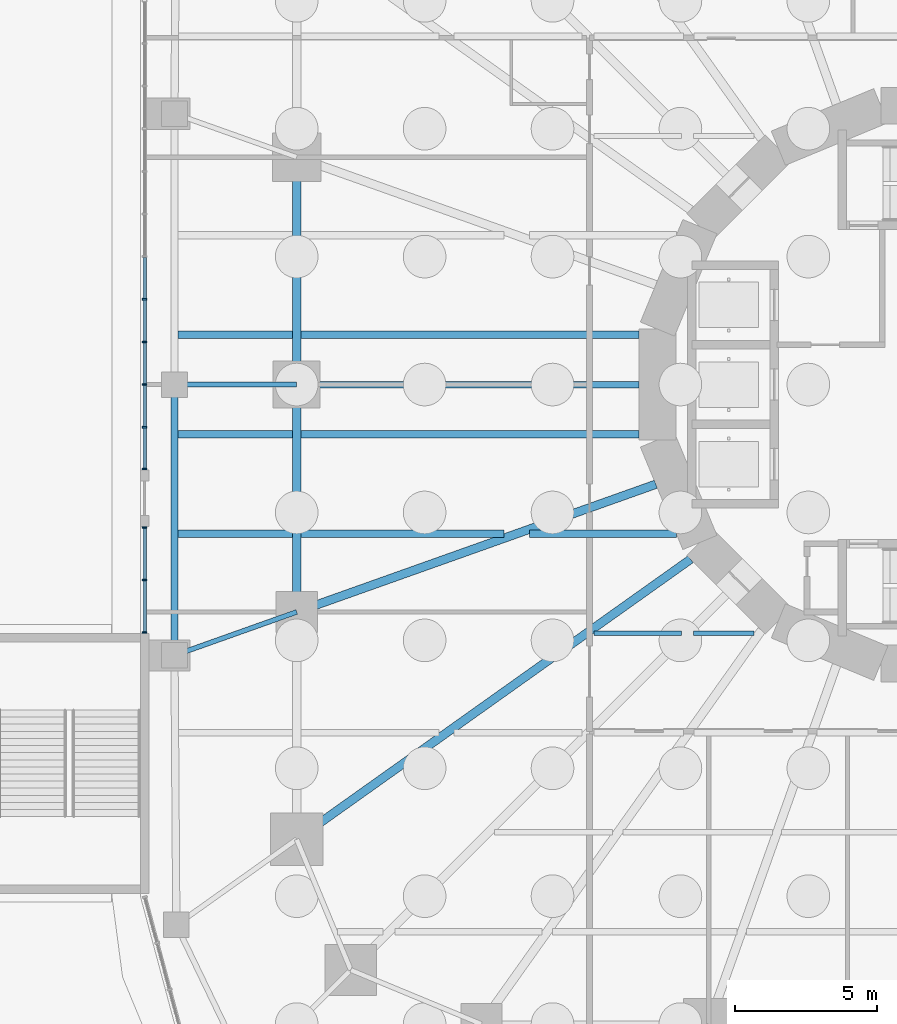
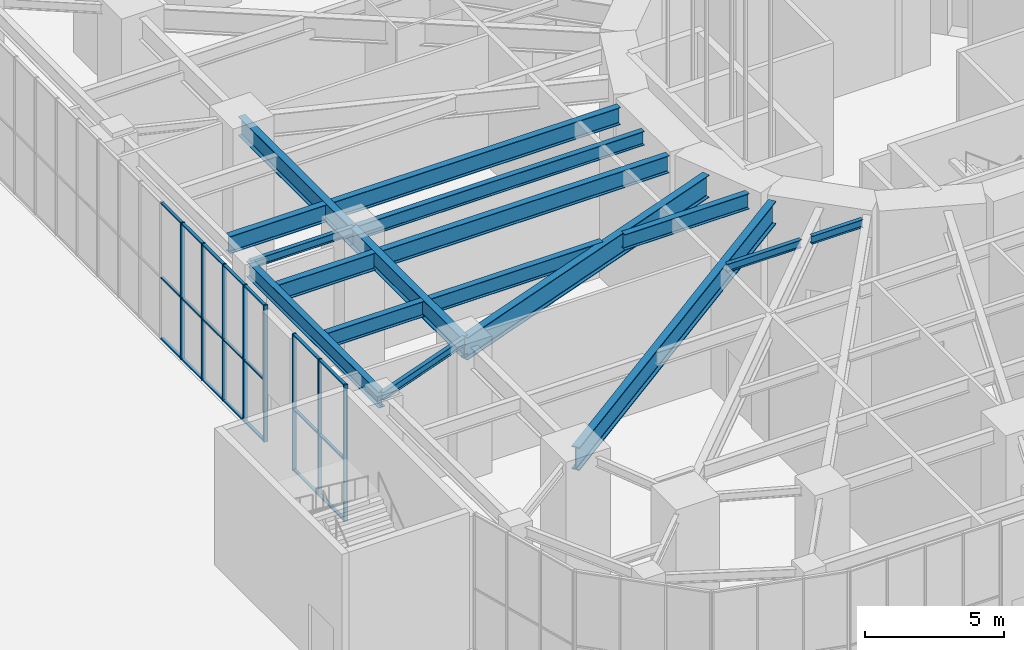
# One storey, part 7 of 43: 29 members, 17 beams, 2 elements without a shape of their own.
"""IFC4 building model written with IfcOpenShell, lengths in metres."""

import ifcopenshell
import ifcopenshell.guid

model = None  # the IFC model being written
_history = None  # IfcOwnerHistory: only IFC2X3 demands one
_inside = {}  # id of a spatial element -> (the spatial element, [elements in it])
_under = {}  # id of a project, library or spatial element -> (it, [spatial elements below it])
_declared = {}  # id of a project -> (the project, [libraries it declares])
_typed = {}  # id of a type object -> (the type object, [elements of that type])
_made_of = {}  # id of a material, layer set ... -> (it, [elements and type objects made of it])


def new_model(schema):
    """Start an empty IFC model of exactly this schema.

    Asked for "IFC4X3", IfcOpenShell would pick the latest addendum, in which some entities
    have other attributes; the version numbers below select the first issue.
    IFC2X3 requires an IfcOwnerHistory on every rooted entity: one is made here for all.
    """
    global model, _history
    if schema == "IFC4X3":
        model = ifcopenshell.file(schema_version=(4, 3, 0, 0))
    else:
        model = ifcopenshell.file(schema=schema)
    _inside.clear()
    _under.clear()
    _declared.clear()
    _typed.clear()
    _made_of.clear()
    _history = None
    if model.schema == "IFC2X3":
        org = make("IfcOrganization", Name="unknown")
        user = make(
            "IfcPersonAndOrganization",
            ThePerson=make("IfcPerson", FamilyName="unknown"),
            TheOrganization=org,
        )
        app = make(
            "IfcApplication",
            ApplicationDeveloper=org,
            Version="unknown",
            ApplicationFullName="unknown",
            ApplicationIdentifier="unknown",
        )
        _history = make(
            "IfcOwnerHistory",
            OwningUser=user,
            OwningApplication=app,
            ChangeAction="ADDED",
            CreationDate=0,
        )
    return model


def make(cls, **values):
    """One entity of the class cls with the attributes given. An attribute that is None is left unset."""
    return model.create_entity(
        cls, **{name: value for name, value in values.items() if value is not None}
    )


def rooted(cls, **values):
    """An entity with a GlobalId (a new one), such as an element, a storey or a relation."""
    return make(cls, GlobalId=ifcopenshell.guid.new(), OwnerHistory=_history, **values)


def si_unit(unit_type, name, prefix=None):
    """IfcSIUnit, for example si_unit("LENGTHUNIT", "METRE", prefix="MILLI")."""
    return make("IfcSIUnit", UnitType=unit_type, Prefix=prefix, Name=name)


def assignment(units):
    """IfcUnitAssignment: the units of a project."""
    return None if units is None else make("IfcUnitAssignment", Units=units)


def point(xyz):
    """IfcCartesianPoint."""
    return None if xyz is None else make("IfcCartesianPoint", Coordinates=xyz)


def direction(xyz):
    """IfcDirection."""
    return None if xyz is None else make("IfcDirection", DirectionRatios=xyz)


def frame(location, z_axis=None, x_axis=None):
    """IfcAxis2Placement3D, a coordinate frame: its origin and axes. An axis left out is left unset."""
    return make(
        "IfcAxis2Placement3D",
        Location=point(location),
        Axis=direction(z_axis),
        RefDirection=direction(x_axis),
    )


def frame_2d(location, x_axis=None):
    """IfcAxis2Placement2D, a coordinate frame in the plane: its origin and x axis."""
    return make(
        "IfcAxis2Placement2D", Location=point(location), RefDirection=direction(x_axis)
    )


def origin():
    """The frame at (0, 0, 0) with its axes left unset."""
    return frame((0.0, 0.0, 0.0))


def origin_2d():
    """The frame at (0, 0) in the plane with its x axis left unset."""
    return frame_2d((0.0, 0.0))


def place(relative_to, where):
    """IfcLocalPlacement: puts the frame where relative to a parent placement (None: the world)."""
    return make(
        "IfcLocalPlacement", PlacementRelTo=relative_to, RelativePlacement=where
    )


def context(
    kind, dimensions, precision=None, world=None, true_north=None, identifier=None
):
    """IfcGeometricRepresentationContext, for example the 3D "Model" context."""
    return make(
        "IfcGeometricRepresentationContext",
        ContextIdentifier=identifier,
        ContextType=kind,
        CoordinateSpaceDimension=dimensions,
        Precision=precision,
        WorldCoordinateSystem=world,
        TrueNorth=true_north,
    )


def subcontext(parent, identifier, kind, view, scale=None):
    """IfcGeometricRepresentationSubContext, for example "Body" below "Model"."""
    return make(
        "IfcGeometricRepresentationSubContext",
        ContextIdentifier=identifier,
        ContextType=kind,
        ParentContext=parent,
        TargetScale=scale,
        TargetView=view,
    )


def project(units=None, contexts=None):
    """IfcProject with its units and contexts."""
    return rooted(
        "IfcProject",
        Name="project",
        RepresentationContexts=contexts,
        UnitsInContext=assignment(units),
    )


def spatial(cls, under=None, at=None, **own):
    """A site, building, storey or space (cls), placed at a placement, below another one or the project."""
    s = rooted(cls, ObjectPlacement=at, **own)
    if under is not None:
        _under.setdefault(under.id(), (under, []))[1].append(s)
    return s


def profile(cls, at=None, kind="AREA", **sizes):
    """A parametric profile (cls). Its sizes go by their IFC names, for example OverallWidth=200.0."""
    return make(cls, ProfileType=kind, Position=at, **sizes)


def rectangle(**sizes):
    """IfcRectangleProfileDef."""
    return profile("IfcRectangleProfileDef", **sizes)


def i_section(**sizes):
    """IfcIShapeProfileDef."""
    return profile("IfcIShapeProfileDef", **sizes)


def extrude(swept, where, along, depth):
    """IfcExtrudedAreaSolid: the profile swept, set in the frame where, extruded along a direction by depth."""
    return make(
        "IfcExtrudedAreaSolid",
        SweptArea=swept,
        Position=where,
        ExtrudedDirection=direction(along),
        Depth=depth,
    )


def shape(context_of_items, identifier, shape_type, items):
    """IfcShapeRepresentation: the items that make up one representation, for example the "Body"."""
    return make(
        "IfcShapeRepresentation",
        ContextOfItems=context_of_items,
        RepresentationIdentifier=identifier,
        RepresentationType=shape_type,
        Items=items,
    )


def material(Name=None, Category=None):
    """IfcMaterial."""
    return make("IfcMaterial", Name=Name, Category=Category)


def material_profile(
    of_material, cross_section, Name=None, Category=None, Priority=None
):
    """IfcMaterialProfile: a cross section and its material."""
    return make(
        "IfcMaterialProfile",
        Name=Name,
        Material=of_material,
        Profile=cross_section,
        Priority=Priority,
        Category=Category,
    )


def profile_set(profiles, Name=None, composite=None):
    """IfcMaterialProfileSet."""
    return make(
        "IfcMaterialProfileSet",
        Name=Name,
        MaterialProfiles=profiles,
        CompositeProfile=composite,
    )


def made_of(thing, what):
    """Note that an element or type object is made of a material, layer set ...; save() writes the relation."""
    if what is not None:
        _made_of.setdefault(what.id(), (what, []))[1].append(thing)
    return thing


def type_object(cls, material=None, **own):
    """A type object (cls), such as IfcWallType, which elements share."""
    return made_of(rooted(cls, **own), material)


def element(
    cls,
    number,
    at=None,
    inside=None,
    cuts=None,
    type_object=None,
    material=None,
    context=None,
    identifier="Body",
    shape_type=None,
    held_by="IfcProductDefinitionShape",
    body=None,
    shapes=None,
    **own,
):
    """One element of the class cls, such as IfcWall. Its Tag is "e" and its number.

    at: its placement. inside: the storey or other place that contains it. cuts: it is an
    opening in that element (IfcRelVoidsElement). A single representation is given by context,
    identifier, shape_type and body (its items); several are given by shapes. held_by: the class
    of the entity that holds the representations. save() writes the other relations.
    """
    e = rooted(cls, Tag="e%d" % number, ObjectPlacement=at, **own)
    if body is not None:
        shapes = [shape(context, identifier, shape_type, body)]
    if shapes is not None:
        e.Representation = make(held_by, Representations=shapes)
    if inside is not None:
        _inside.setdefault(inside.id(), (inside, []))[1].append(e)
    if cuts is not None:
        rooted(
            "IfcRelVoidsElement", RelatingBuildingElement=cuts, RelatedOpeningElement=e
        )
    if type_object is not None:
        _typed.setdefault(type_object.id(), (type_object, []))[1].append(e)
    return made_of(e, material)


def aggregate(whole, parts):
    """IfcRelAggregates: a whole, such as a stair, and the parts it consists of."""
    return rooted("IfcRelAggregates", RelatingObject=whole, RelatedObjects=parts)


def save(model, path):
    """Write the relations noted so far, then the file.

    IfcRelAggregates (storeys below a building ...), IfcRelContainedInSpatialStructure (elements
    in a storey), IfcRelDefinesByType, IfcRelAssociatesMaterial and IfcRelDeclares: one each for
    every whole, place, type object, material and project.
    """
    for whole, parts in _under.values():
        aggregate(whole, parts)
    for where, things in _inside.values():
        rooted(
            "IfcRelContainedInSpatialStructure",
            RelatedElements=things,
            RelatingStructure=where,
        )
    for kind, things in _typed.values():
        rooted("IfcRelDefinesByType", RelatedObjects=things, RelatingType=kind)
    for what, things in _made_of.values():
        rooted("IfcRelAssociatesMaterial", RelatedObjects=things, RelatingMaterial=what)
    for by, libraries in _declared.values():
        rooted("IfcRelDeclares", RelatingContext=by, RelatedDefinitions=libraries)
    model.write(path)


model = new_model("IFC4")

# Units and contexts
model_context = context("Model", 3, precision=1e-05, world=origin(), true_north=direction((0.0, 1.0)))
body_context = subcontext(model_context, "Body", "Model", "MODEL_VIEW")
ifc_project = project(units=[si_unit("LENGTHUNIT", "METRE"), si_unit("AREAUNIT", "SQUARE_METRE"), si_unit("VOLUMEUNIT", "CUBIC_METRE"), si_unit("PLANEANGLEUNIT", "RADIAN"), si_unit("MASSUNIT", "GRAM", prefix="KILO")], contexts=[model_context])

# Site, building, storey
site_placement = place(None, origin())
site = spatial("IfcSite", under=ifc_project, at=site_placement, CompositionType="ELEMENT")
building_placement = place(site_placement, origin())
building = spatial("IfcBuilding", under=site, at=building_placement, Name="Nakasero Lantern House", CompositionType="ELEMENT")
storey_placement = place(building_placement, origin())
storey = spatial("IfcBuildingStorey", under=building, at=storey_placement, Name="L00", CompositionType="ELEMENT", Elevation=0.0)

# Beams
ifc_material_1 = material(Name="Steel S355", Category="steel")
ifc_material_profile_1 = material_profile(ifc_material_1, i_section(OverallWidth=0.17138671875, OverallDepth=0.35498046875, WebThickness=0.00732421875, FlangeThickness=0.011474609375, FilletRadius=0.01025390625, at=origin_2d()), Name="UB 356x171x51")
ifc_profile_set_1 = profile_set([ifc_material_profile_1], Name="Steel S355")
beam_type_1 = type_object("IfcBeamType", Name="Infill beam UB 356x171x51", PredefinedType="JOIST", material=ifc_profile_set_1)
beam_1_placement = place(storey_placement, frame((-12.043212890625, -8.75, 5.62255859375), z_axis=(1.0, 0.0, 0.0), x_axis=(0.0, 1.0, 0.0)))
element("IfcBeam", 1, at=beam_1_placement, inside=storey, type_object=beam_type_1, Name="Infill beam L01 06.1", PredefinedType="JOIST", context=body_context, shape_type="SweptSolid", body=[
    extrude(i_section(OverallWidth=0.17138671875, OverallDepth=0.35498046875, WebThickness=0.00732421875, FlangeThickness=0.011474609375, FilletRadius=0.01025390625, at=origin_2d()), origin(), (0.0, 0.0, 1.0), 3.0771484375),
])
beam_2_placement = place(storey_placement, frame((-8.533935546875, -8.75, 5.62255859375), z_axis=(1.0, 0.0, 0.0), x_axis=(0.0, 1.0, 0.0)))
element("IfcBeam", 2, at=beam_2_placement, inside=storey, type_object=beam_type_1, Name="Infill beam L01 06.2", PredefinedType="JOIST", context=body_context, shape_type="SweptSolid", body=[
    extrude(i_section(OverallWidth=0.17138671875, OverallDepth=0.35498046875, WebThickness=0.00732421875, FlangeThickness=0.011474609375, FilletRadius=0.01025390625, at=origin_2d()), origin(), (0.0, 0.0, 1.0), 2.124267578125),
])
ifc_material_2 = material(Name="Steel S355", Category="steel")
ifc_material_profile_2 = material_profile(ifc_material_2, i_section(OverallWidth=0.253662109375, OverallDepth=0.68359375, WebThickness=0.012451171875, FlangeThickness=0.01904296875, FilletRadius=0.01513671875, at=origin_2d()), Name="UB 686x254x140")
ifc_profile_set_2 = profile_set([ifc_material_profile_2], Name="Steel S355")
beam_type_2 = type_object("IfcBeamType", Name="Infill beam UB 686x254x140", PredefinedType="JOIST", material=ifc_profile_set_2)
beam_3_placement = place(storey_placement, frame((-26.672119140625, -5.25, 5.458251953125), z_axis=(1.0, 0.0, 0.0), x_axis=(0.0, 1.0, 0.0)))
element("IfcBeam", 3, at=beam_3_placement, inside=storey, type_object=beam_type_2, Name="Infill beam L01 07.1", PredefinedType="JOIST", context=body_context, shape_type="SweptSolid", body=[
    extrude(i_section(OverallWidth=0.253662109375, OverallDepth=0.68359375, WebThickness=0.012451171875, FlangeThickness=0.01904296875, FilletRadius=0.01513671875, at=origin_2d()), origin(), (0.0, 0.0, 1.0), 4.02587890625),
])
beam_4_placement = place(storey_placement, frame((-22.353759765625, -5.25, 5.458251953125), z_axis=(1.0, 0.0, 0.0), x_axis=(0.0, 1.0, 0.0)))
element("IfcBeam", 4, at=beam_4_placement, inside=storey, type_object=beam_type_2, Name="Infill beam L01 07.2", PredefinedType="JOIST", context=body_context, shape_type="SweptSolid", body=[
    extrude(i_section(OverallWidth=0.253662109375, OverallDepth=0.68359375, WebThickness=0.012451171875, FlangeThickness=0.01904296875, FilletRadius=0.01513671875, at=origin_2d()), origin(), (0.0, 0.0, 1.0), 7.140380859375),
])
beam_5_placement = place(storey_placement, frame((-14.31787109375, -5.25, 5.458251953125), z_axis=(1.0, 0.0, 0.0), x_axis=(0.0, 1.0, 0.0)))
element("IfcBeam", 5, at=beam_5_placement, inside=storey, type_object=beam_type_2, Name="Infill beam L01 07.3", PredefinedType="JOIST", context=body_context, shape_type="SweptSolid", body=[
    extrude(i_section(OverallWidth=0.253662109375, OverallDepth=0.68359375, WebThickness=0.012451171875, FlangeThickness=0.01904296875, FilletRadius=0.01513671875, at=origin_2d()), origin(), (0.0, 0.0, 1.0), 5.173095703125),
])
ifc_material_3 = material(Name="Steel S355", Category="steel")
ifc_material_profile_3 = material_profile(ifc_material_3, i_section(OverallWidth=0.2666015625, OverallDepth=0.76220703125, WebThickness=0.014404296875, FlangeThickness=0.021484375, FilletRadius=0.0166015625, at=origin_2d()), Name="UB 762x267x173")
ifc_profile_set_3 = profile_set([ifc_material_profile_3], Name="Steel S355")
beam_type_3 = type_object("IfcBeamType", Name="Infill beam UB 762x267x173", PredefinedType="JOIST", material=ifc_profile_set_3)
beam_6_placement = place(storey_placement, frame((-26.672119140625, -1.75, 5.4189453125), z_axis=(1.0, 0.0, 0.0), x_axis=(0.0, 1.0, 0.0)))
element("IfcBeam", 6, at=beam_6_placement, inside=storey, type_object=beam_type_3, Name="Infill beam L01 08.1", PredefinedType="JOIST", context=body_context, shape_type="SweptSolid", body=[
    extrude(i_section(OverallWidth=0.2666015625, OverallDepth=0.76220703125, WebThickness=0.014404296875, FlangeThickness=0.021484375, FilletRadius=0.0166015625, at=origin_2d()), origin(), (0.0, 0.0, 1.0), 4.02587890625),
])
beam_7_placement = place(storey_placement, frame((-22.353759765625, -1.75, 5.4189453125), z_axis=(1.0, 0.0, 0.0), x_axis=(0.0, 1.0, 0.0)))
element("IfcBeam", 7, at=beam_7_placement, inside=storey, type_object=beam_type_3, Name="Infill beam L01 08.2", PredefinedType="JOIST", context=body_context, shape_type="SweptSolid", body=[
    extrude(i_section(OverallWidth=0.2666015625, OverallDepth=0.76220703125, WebThickness=0.014404296875, FlangeThickness=0.021484375, FilletRadius=0.0166015625, at=origin_2d()), origin(), (0.0, 0.0, 1.0), 11.89599609375),
])
beam_8_placement = place(storey_placement, frame((-26.672119140625, 1.75, 5.4189453125), z_axis=(1.0, 0.0, 0.0), x_axis=(0.0, 1.0, 0.0)))
element("IfcBeam", 8, at=beam_8_placement, inside=storey, type_object=beam_type_3, Name="Infill beam L01 09.1", PredefinedType="JOIST", context=body_context, shape_type="SweptSolid", body=[
    extrude(i_section(OverallWidth=0.2666015625, OverallDepth=0.76220703125, WebThickness=0.014404296875, FlangeThickness=0.021484375, FilletRadius=0.0166015625, at=origin_2d()), origin(), (0.0, 0.0, 1.0), 4.02587890625),
])
beam_9_placement = place(storey_placement, frame((-22.353759765625, 1.75, 5.4189453125), z_axis=(1.0, 0.0, 0.0), x_axis=(0.0, 1.0, 0.0)))
element("IfcBeam", 9, at=beam_9_placement, inside=storey, type_object=beam_type_3, Name="Infill beam L01 09.2", PredefinedType="JOIST", context=body_context, shape_type="SweptSolid", body=[
    extrude(i_section(OverallWidth=0.2666015625, OverallDepth=0.76220703125, WebThickness=0.014404296875, FlangeThickness=0.021484375, FilletRadius=0.0166015625, at=origin_2d()), origin(), (0.0, 0.0, 1.0), 11.89599609375),
])

# Curtain wall, members
ifc_material_4 = material(Name="Aluminium 6063-T6 and glass", Category="aluminium")
curtain_wall_type = type_object("IfcCurtainWallType", Name="Podium shopfront glazing CW-1", PredefinedType="USERDEFINED", material=ifc_material_4)
curtain_wall_1_placement = place(storey_placement, origin())
curtain_wall_1 = element("IfcCurtainWall", 10, at=curtain_wall_1_placement, inside=storey, type_object=curtain_wall_type, Name="Curtain wall CW-1 L00", ObjectType="STICK CURTAIN WALL", PredefinedType="USERDEFINED")
ifc_material_5 = material(Name="Aluminium 6063-T6", Category="aluminium")
ifc_material_profile_4 = material_profile(ifc_material_5, rectangle(XDim=0.06005859375, YDim=0.159912109375, at=origin_2d()), Name="CW-1 mullion 60x160")
ifc_profile_set_4 = profile_set([ifc_material_profile_4], Name="Aluminium 6063-T6")
member_type_1 = type_object("IfcMemberType", Name="Mullion CW-1", PredefinedType="MULLION", material=ifc_profile_set_4)
member_1_placement = place(storey_placement, frame((-27.85009765625, 3.0, 0.0), z_axis=(0.0, 0.0, 1.0), x_axis=(0.0, -1.0, 0.0)))
member_1 = element("IfcMember", 11, at=member_1_placement, type_object=member_type_1, Name="CW-1 mullion 11", PredefinedType="MULLION", context=body_context, shape_type="SweptSolid", body=[
    extrude(rectangle(XDim=0.06005859375, YDim=0.159912109375, at=origin_2d()), origin(), (0.0, 0.0, 1.0), 6.0),
])
member_2_placement = place(storey_placement, frame((-27.85009765625, 1.5, 0.0), z_axis=(0.0, 0.0, 1.0), x_axis=(0.0, -1.0, 0.0)))
member_2 = element("IfcMember", 12, at=member_2_placement, type_object=member_type_1, Name="CW-1 mullion 12", PredefinedType="MULLION", context=body_context, shape_type="SweptSolid", body=[
    extrude(rectangle(XDim=0.06005859375, YDim=0.159912109375, at=origin_2d()), origin(), (0.0, 0.0, 1.0), 6.0),
])
member_3_placement = place(storey_placement, frame((-27.85009765625, 0.0, 0.0), z_axis=(0.0, 0.0, 1.0), x_axis=(0.0, -1.0, 0.0)))
member_3 = element("IfcMember", 13, at=member_3_placement, type_object=member_type_1, Name="CW-1 mullion 13", PredefinedType="MULLION", context=body_context, shape_type="SweptSolid", body=[
    extrude(rectangle(XDim=0.06005859375, YDim=0.159912109375, at=origin_2d()), origin(), (0.0, 0.0, 1.0), 6.0),
])
member_4_placement = place(storey_placement, frame((-27.85009765625, -1.5, 0.0), z_axis=(0.0, 0.0, 1.0), x_axis=(0.0, -1.0, 0.0)))
member_4 = element("IfcMember", 14, at=member_4_placement, type_object=member_type_1, Name="CW-1 mullion 14", PredefinedType="MULLION", context=body_context, shape_type="SweptSolid", body=[
    extrude(rectangle(XDim=0.06005859375, YDim=0.159912109375, at=origin_2d()), origin(), (0.0, 0.0, 1.0), 6.0),
])
member_5_placement = place(storey_placement, frame((-27.85009765625, -2.969970703125, 0.0), z_axis=(0.0, 0.0, 1.0), x_axis=(0.0, -1.0, 0.0)))
member_5 = element("IfcMember", 15, at=member_5_placement, type_object=member_type_1, Name="CW-1 mullion 15", PredefinedType="MULLION", context=body_context, shape_type="SweptSolid", body=[
    extrude(rectangle(XDim=0.06005859375, YDim=0.159912109375, at=origin_2d()), origin(), (0.0, 0.0, 1.0), 6.0),
])

curtain_wall_2_placement = place(storey_placement, origin())
curtain_wall_2 = element("IfcCurtainWall", 16, at=curtain_wall_2_placement, inside=storey, type_object=curtain_wall_type, Name="Curtain wall CW-1 L00", ObjectType="STICK CURTAIN WALL", PredefinedType="USERDEFINED")
member_6_placement = place(storey_placement, frame((-27.85009765625, -5.030029296875, 0.0), z_axis=(0.0, 0.0, 1.0), x_axis=(0.0, -1.0, 0.0)))
member_6 = element("IfcMember", 17, at=member_6_placement, type_object=member_type_1, Name="CW-1 mullion 1", PredefinedType="MULLION", context=body_context, shape_type="SweptSolid", body=[
    extrude(rectangle(XDim=0.06005859375, YDim=0.159912109375, at=origin_2d()), origin(), (0.0, 0.0, 1.0), 6.0),
])
member_7_placement = place(storey_placement, frame((-27.85009765625, -6.875, 0.0), z_axis=(0.0, 0.0, 1.0), x_axis=(0.0, -1.0, 0.0)))
member_7 = element("IfcMember", 18, at=member_7_placement, type_object=member_type_1, Name="CW-1 mullion 2", PredefinedType="MULLION", context=body_context, shape_type="SweptSolid", body=[
    extrude(rectangle(XDim=0.06005859375, YDim=0.159912109375, at=origin_2d()), origin(), (0.0, 0.0, 1.0), 6.0),
])
member_8_placement = place(storey_placement, frame((-27.85009765625, -8.719970703125, 0.0), z_axis=(0.0, 0.0, 1.0), x_axis=(0.0, -1.0, 0.0)))
member_8 = element("IfcMember", 19, at=member_8_placement, type_object=member_type_1, Name="CW-1 mullion 3", PredefinedType="MULLION", context=body_context, shape_type="SweptSolid", body=[
    extrude(rectangle(XDim=0.06005859375, YDim=0.159912109375, at=origin_2d()), origin(), (0.0, 0.0, 1.0), 6.0),
])

# Beams
ifc_material_6 = material(Name="Steel S355", Category="steel")
ifc_material_profile_5 = material_profile(ifc_material_6, i_section(OverallWidth=0.300048828125, OverallDepth=0.989990234375, WebThickness=0.0166015625, FlangeThickness=0.031005859375, FilletRadius=0.030029296875, at=origin_2d()), Name="UB 1016x305x272")
ifc_profile_set_5 = profile_set([ifc_material_profile_5], Name="Steel S355")
beam_type_4 = type_object("IfcBeamType", Name="Primary beam UB 1016x305x272, span 12 to 15 m", PredefinedType="BEAM", material=ifc_profile_set_5)
beam_10_placement = place(storey_placement, frame((-22.5, -8.0, 5.304931640625), z_axis=(0.942214307118, 0.335010745293, 0.0), x_axis=(-0.335010745293, 0.942214307118, 0.0)))
element("IfcBeam", 20, at=beam_10_placement, inside=storey, type_object=beam_type_4, Name="Primary beam L01 B1-C16", PredefinedType="BEAM", context=body_context, shape_type="SweptSolid", body=[
    extrude(i_section(OverallWidth=0.300048828125, OverallDepth=0.989990234375, WebThickness=0.0166015625, FlangeThickness=0.031005859375, FilletRadius=0.030029296875, at=origin_2d()), origin(), (0.0, 0.0, 1.0), 13.408447265625),
])
ifc_material_7 = material(Name="Steel S355", Category="steel")
ifc_material_profile_6 = material_profile(ifc_material_7, i_section(OverallWidth=0.302978515625, OverallDepth=1.015869140625, WebThickness=0.0244140625, FlangeThickness=0.0439453125, FilletRadius=0.030029296875, at=origin_2d()), Name="UB 1016x305x393")
ifc_profile_set_6 = profile_set([ifc_material_profile_6], Name="Steel S355")
beam_type_5 = type_object("IfcBeamType", Name="Primary beam UB 1016x305x393, span over 15 m", PredefinedType="BEAM", material=ifc_profile_set_6)
beam_11_placement = place(storey_placement, frame((-22.5, -16.0, 5.2919921875), z_axis=(0.814952159915, 0.579528236629, 0.0), x_axis=(-0.579528236629, 0.814952159915, 0.0)))
element("IfcBeam", 21, at=beam_11_placement, inside=storey, type_object=beam_type_5, Name="Primary beam L01 B1-C17", PredefinedType="BEAM", context=body_context, shape_type="SweptSolid", body=[
    extrude(i_section(OverallWidth=0.302978515625, OverallDepth=1.015869140625, WebThickness=0.0244140625, FlangeThickness=0.0439453125, FilletRadius=0.030029296875, at=origin_2d()), origin(), (0.0, 0.0, 1.0), 17.003173828125),
])
ifc_material_8 = material(Name="Steel S355", Category="steel")
ifc_material_profile_7 = material_profile(ifc_material_8, i_section(OverallWidth=0.17138671875, OverallDepth=0.35498046875, WebThickness=0.00732421875, FlangeThickness=0.011474609375, FilletRadius=0.01025390625, at=origin_2d()), Name="UB 356x171x51")
ifc_profile_set_7 = profile_set([ifc_material_profile_7], Name="Steel S355")
beam_type_6 = type_object("IfcBeamType", Name="Primary beam UB 356x171x51, span to 6 m", PredefinedType="BEAM", material=ifc_profile_set_7)
beam_12_placement = place(storey_placement, frame((-26.800048828125, 0.0, 5.62255859375), z_axis=(1.0, 0.0, 0.0), x_axis=(0.0, 1.0, 0.0)))
element("IfcBeam", 22, at=beam_12_placement, inside=storey, type_object=beam_type_6, Name="Primary beam L01 POD-C15", PredefinedType="BEAM", context=body_context, shape_type="SweptSolid", body=[
    extrude(i_section(OverallWidth=0.17138671875, OverallDepth=0.35498046875, WebThickness=0.00732421875, FlangeThickness=0.011474609375, FilletRadius=0.01025390625, at=origin_2d()), origin(), (0.0, 0.0, 1.0), 4.300048828125),
])
beam_13_placement = place(storey_placement, frame((-26.800048828125, -9.52880859375, 5.62255859375), z_axis=(0.942221444489, 0.334990670833, 0.0), x_axis=(-0.334990670833, 0.942221444489, 0.0)))
element("IfcBeam", 23, at=beam_13_placement, inside=storey, type_object=beam_type_6, Name="Primary beam L01 POD-C16", PredefinedType="BEAM", context=body_context, shape_type="SweptSolid", body=[
    extrude(i_section(OverallWidth=0.17138671875, OverallDepth=0.35498046875, WebThickness=0.00732421875, FlangeThickness=0.011474609375, FilletRadius=0.01025390625, at=origin_2d()), origin(), (0.0, 0.0, 1.0), 4.563720703125),
])
ifc_material_9 = material(Name="Steel S355", Category="steel")
ifc_material_profile_8 = material_profile(ifc_material_9, i_section(OverallWidth=0.22900390625, OverallDepth=0.6123046875, WebThickness=0.011962890625, FlangeThickness=0.01953125, FilletRadius=0.0126953125, at=origin_2d()), Name="UB 610x229x125")
ifc_profile_set_8 = profile_set([ifc_material_profile_8], Name="Steel S355")
beam_type_7 = type_object("IfcBeamType", Name="Primary beam UB 610x229x125, span 12 to 15 m", PredefinedType="BEAM", material=ifc_profile_set_8)
beam_14_placement = place(storey_placement, frame((-22.5, 0.0, 5.493896484375), z_axis=(1.0, 0.0, 0.0), x_axis=(0.0, 1.0, 0.0)))
element("IfcBeam", 24, at=beam_14_placement, inside=storey, type_object=beam_type_7, Name="Primary beam L01 B1-C15", PredefinedType="BEAM", context=body_context, shape_type="SweptSolid", body=[
    extrude(i_section(OverallWidth=0.22900390625, OverallDepth=0.6123046875, WebThickness=0.011962890625, FlangeThickness=0.01953125, FilletRadius=0.0126953125, at=origin_2d()), origin(), (0.0, 0.0, 1.0), 12.042236328125),
])
ifc_material_10 = material(Name="Steel S355", Category="steel")
ifc_material_profile_9 = material_profile(ifc_material_10, i_section(OverallWidth=0.255859375, OverallDepth=0.69287109375, WebThickness=0.014404296875, FlangeThickness=0.023681640625, FilletRadius=0.01513671875, at=origin_2d()), Name="UB 686x254x170")
ifc_profile_set_9 = profile_set([ifc_material_profile_9], Name="Steel S355")
beam_type_8 = type_object("IfcBeamType", Name="Ring beam UB 686x254x170", PredefinedType="BEAM", material=ifc_profile_set_9)
beam_15_placement = place(storey_placement, frame((-26.800048828125, 0.0, 5.45361328125), z_axis=(0.0, -1.0, 0.0), x_axis=(1.0, 0.0, 0.0)))
element("IfcBeam", 25, at=beam_15_placement, inside=storey, type_object=beam_type_8, Name="Ring beam L01 POD-C15", PredefinedType="BEAM", context=body_context, shape_type="SweptSolid", body=[
    extrude(i_section(OverallWidth=0.255859375, OverallDepth=0.69287109375, WebThickness=0.014404296875, FlangeThickness=0.023681640625, FilletRadius=0.01513671875, at=origin_2d()), origin(), (0.0, 0.0, 1.0), 9.52880859375),
])
ifc_material_11 = material(Name="Steel S355", Category="steel")
ifc_material_profile_10 = material_profile(ifc_material_11, i_section(OverallWidth=0.29248046875, OverallDepth=0.8408203125, WebThickness=0.0146484375, FlangeThickness=0.02685546875, FilletRadius=0.017822265625, at=origin_2d()), Name="UB 838x292x194")
ifc_profile_set_10 = profile_set([ifc_material_profile_10], Name="Steel S355")
beam_type_9 = type_object("IfcBeamType", Name="Ring beam UB 838x292x194", PredefinedType="BEAM", material=ifc_profile_set_10)
for number, where, z_axis, x_axis, name in (
    (26, (-22.5, 8.0, 5.379638671875), (0.0, -1.0, 0.0), (1.0, 0.0, 0.0), "Ring beam L01 B1-C14"),
    (27, (-22.5, 0.0, 5.379638671875), (0.0, -1.0, 0.0), (1.0, 0.0, 0.0), "Ring beam L01 B1-C15"),
):
    element("IfcBeam", number, at=place(storey_placement, frame(where, z_axis=z_axis, x_axis=x_axis)), inside=storey, type_object=beam_type_9, Name=name, PredefinedType="BEAM", context=body_context, shape_type="SweptSolid", body=[
        extrude(i_section(OverallWidth=0.29248046875, OverallDepth=0.8408203125, WebThickness=0.0146484375, FlangeThickness=0.02685546875, FilletRadius=0.017822265625, at=origin_2d()), origin(), (0.0, 0.0, 1.0), 8.0),
    ])

# Member
ifc_material_12 = material(Name="Aluminium 6063-T6", Category="aluminium")
ifc_material_profile_11 = material_profile(ifc_material_12, rectangle(XDim=0.06005859375, YDim=0.1201171875, at=origin_2d()), Name="CW-1 transom 60x120")
ifc_profile_set_11 = profile_set([ifc_material_profile_11], Name="Aluminium 6063-T6")
member_type_2 = type_object("IfcMemberType", Name="Transom CW-1", PredefinedType="USERDEFINED", material=ifc_profile_set_11)
member_9_placement = place(storey_placement, frame((-27.85009765625, 4.469970703125, 0.030029296875), z_axis=(0.0, -1.0, 0.0), x_axis=(0.0, 0.0, 1.0)))
member_9 = element("IfcMember", 28, at=member_9_placement, type_object=member_type_2, Name="CW-1 transom 10.1", ObjectType="TRANSOM", PredefinedType="USERDEFINED", context=body_context, shape_type="SweptSolid", body=[
    extrude(rectangle(XDim=0.06005859375, YDim=0.1201171875, at=origin_2d()), origin(), (0.0, 0.0, 1.0), 1.43994140625),
])

member_10_placement = place(storey_placement, frame((-27.85009765625, 4.469970703125, 2.699951171875), z_axis=(0.0, -1.0, 0.0), x_axis=(0.0, 0.0, 1.0)))
member_10 = element("IfcMember", 29, at=member_10_placement, type_object=member_type_2, Name="CW-1 transom 10.2", ObjectType="TRANSOM", PredefinedType="USERDEFINED", context=body_context, shape_type="SweptSolid", body=[
    extrude(rectangle(XDim=0.06005859375, YDim=0.1201171875, at=origin_2d()), origin(), (0.0, 0.0, 1.0), 1.43994140625),
])

member_11_placement = place(storey_placement, frame((-27.85009765625, 4.469970703125, 5.969970703125), z_axis=(0.0, -1.0, 0.0), x_axis=(0.0, 0.0, 1.0)))
member_11 = element("IfcMember", 30, at=member_11_placement, type_object=member_type_2, Name="CW-1 transom 10.3", ObjectType="TRANSOM", PredefinedType="USERDEFINED", context=body_context, shape_type="SweptSolid", body=[
    extrude(rectangle(XDim=0.06005859375, YDim=0.1201171875, at=origin_2d()), origin(), (0.0, 0.0, 1.0), 1.43994140625),
])

member_12_placement = place(storey_placement, frame((-27.85009765625, 2.969970703125, 0.030029296875), z_axis=(0.0, -1.0, 0.0), x_axis=(0.0, 0.0, 1.0)))
member_12 = element("IfcMember", 31, at=member_12_placement, type_object=member_type_2, Name="CW-1 transom 11.1", ObjectType="TRANSOM", PredefinedType="USERDEFINED", context=body_context, shape_type="SweptSolid", body=[
    extrude(rectangle(XDim=0.06005859375, YDim=0.1201171875, at=origin_2d()), origin(), (0.0, 0.0, 1.0), 1.43994140625),
])

member_13_placement = place(storey_placement, frame((-27.85009765625, 2.969970703125, 2.699951171875), z_axis=(0.0, -1.0, 0.0), x_axis=(0.0, 0.0, 1.0)))
member_13 = element("IfcMember", 32, at=member_13_placement, type_object=member_type_2, Name="CW-1 transom 11.2", ObjectType="TRANSOM", PredefinedType="USERDEFINED", context=body_context, shape_type="SweptSolid", body=[
    extrude(rectangle(XDim=0.06005859375, YDim=0.1201171875, at=origin_2d()), origin(), (0.0, 0.0, 1.0), 1.43994140625),
])

member_14_placement = place(storey_placement, frame((-27.85009765625, 2.969970703125, 5.969970703125), z_axis=(0.0, -1.0, 0.0), x_axis=(0.0, 0.0, 1.0)))
member_14 = element("IfcMember", 33, at=member_14_placement, type_object=member_type_2, Name="CW-1 transom 11.3", ObjectType="TRANSOM", PredefinedType="USERDEFINED", context=body_context, shape_type="SweptSolid", body=[
    extrude(rectangle(XDim=0.06005859375, YDim=0.1201171875, at=origin_2d()), origin(), (0.0, 0.0, 1.0), 1.43994140625),
])

member_15_placement = place(storey_placement, frame((-27.85009765625, 1.469970703125, 0.030029296875), z_axis=(0.0, -1.0, 0.0), x_axis=(0.0, 0.0, 1.0)))
member_15 = element("IfcMember", 34, at=member_15_placement, type_object=member_type_2, Name="CW-1 transom 12.1", ObjectType="TRANSOM", PredefinedType="USERDEFINED", context=body_context, shape_type="SweptSolid", body=[
    extrude(rectangle(XDim=0.06005859375, YDim=0.1201171875, at=origin_2d()), origin(), (0.0, 0.0, 1.0), 1.43994140625),
])

member_16_placement = place(storey_placement, frame((-27.85009765625, 1.469970703125, 2.699951171875), z_axis=(0.0, -1.0, 0.0), x_axis=(0.0, 0.0, 1.0)))
member_16 = element("IfcMember", 35, at=member_16_placement, type_object=member_type_2, Name="CW-1 transom 12.2", ObjectType="TRANSOM", PredefinedType="USERDEFINED", context=body_context, shape_type="SweptSolid", body=[
    extrude(rectangle(XDim=0.06005859375, YDim=0.1201171875, at=origin_2d()), origin(), (0.0, 0.0, 1.0), 1.43994140625),
])

member_17_placement = place(storey_placement, frame((-27.85009765625, 1.469970703125, 5.969970703125), z_axis=(0.0, -1.0, 0.0), x_axis=(0.0, 0.0, 1.0)))
member_17 = element("IfcMember", 36, at=member_17_placement, type_object=member_type_2, Name="CW-1 transom 12.3", ObjectType="TRANSOM", PredefinedType="USERDEFINED", context=body_context, shape_type="SweptSolid", body=[
    extrude(rectangle(XDim=0.06005859375, YDim=0.1201171875, at=origin_2d()), origin(), (0.0, 0.0, 1.0), 1.43994140625),
])

member_18_placement = place(storey_placement, frame((-27.85009765625, -0.030029296875, 0.030029296875), z_axis=(0.0, -1.0, 0.0), x_axis=(0.0, 0.0, 1.0)))
member_18 = element("IfcMember", 37, at=member_18_placement, type_object=member_type_2, Name="CW-1 transom 13.1", ObjectType="TRANSOM", PredefinedType="USERDEFINED", context=body_context, shape_type="SweptSolid", body=[
    extrude(rectangle(XDim=0.06005859375, YDim=0.1201171875, at=origin_2d()), origin(), (0.0, 0.0, 1.0), 1.43994140625),
])

member_19_placement = place(storey_placement, frame((-27.85009765625, -0.030029296875, 2.699951171875), z_axis=(0.0, -1.0, 0.0), x_axis=(0.0, 0.0, 1.0)))
member_19 = element("IfcMember", 38, at=member_19_placement, type_object=member_type_2, Name="CW-1 transom 13.2", ObjectType="TRANSOM", PredefinedType="USERDEFINED", context=body_context, shape_type="SweptSolid", body=[
    extrude(rectangle(XDim=0.06005859375, YDim=0.1201171875, at=origin_2d()), origin(), (0.0, 0.0, 1.0), 1.43994140625),
])

member_20_placement = place(storey_placement, frame((-27.85009765625, -0.030029296875, 5.969970703125), z_axis=(0.0, -1.0, 0.0), x_axis=(0.0, 0.0, 1.0)))
member_20 = element("IfcMember", 39, at=member_20_placement, type_object=member_type_2, Name="CW-1 transom 13.3", ObjectType="TRANSOM", PredefinedType="USERDEFINED", context=body_context, shape_type="SweptSolid", body=[
    extrude(rectangle(XDim=0.06005859375, YDim=0.1201171875, at=origin_2d()), origin(), (0.0, 0.0, 1.0), 1.43994140625),
])

member_21_placement = place(storey_placement, frame((-27.85009765625, -1.530029296875, 0.030029296875), z_axis=(0.0, -1.0, 0.0), x_axis=(0.0, 0.0, 1.0)))
member_21 = element("IfcMember", 40, at=member_21_placement, type_object=member_type_2, Name="CW-1 transom 14.1", ObjectType="TRANSOM", PredefinedType="USERDEFINED", context=body_context, shape_type="SweptSolid", body=[
    extrude(rectangle(XDim=0.06005859375, YDim=0.1201171875, at=origin_2d()), origin(), (0.0, 0.0, 1.0), 1.409912109375),
])

member_22_placement = place(storey_placement, frame((-27.85009765625, -1.530029296875, 2.699951171875), z_axis=(0.0, -1.0, 0.0), x_axis=(0.0, 0.0, 1.0)))
member_22 = element("IfcMember", 41, at=member_22_placement, type_object=member_type_2, Name="CW-1 transom 14.2", ObjectType="TRANSOM", PredefinedType="USERDEFINED", context=body_context, shape_type="SweptSolid", body=[
    extrude(rectangle(XDim=0.06005859375, YDim=0.1201171875, at=origin_2d()), origin(), (0.0, 0.0, 1.0), 1.409912109375),
])

member_23_placement = place(storey_placement, frame((-27.85009765625, -1.530029296875, 5.969970703125), z_axis=(0.0, -1.0, 0.0), x_axis=(0.0, 0.0, 1.0)))
member_23 = element("IfcMember", 42, at=member_23_placement, type_object=member_type_2, Name="CW-1 transom 14.3", ObjectType="TRANSOM", PredefinedType="USERDEFINED", context=body_context, shape_type="SweptSolid", body=[
    extrude(rectangle(XDim=0.06005859375, YDim=0.1201171875, at=origin_2d()), origin(), (0.0, 0.0, 1.0), 1.409912109375),
])

aggregate(curtain_wall_1, [member_1, member_2, member_3, member_4, member_5, member_9, member_10, member_11, member_12, member_13, member_14, member_15, member_16, member_17, member_18, member_19, member_20, member_21, member_22, member_23])

member_24_placement = place(storey_placement, frame((-27.85009765625, -5.06005859375, 0.030029296875), z_axis=(0.0, -1.0, 0.0), x_axis=(0.0, 0.0, 1.0)))
member_24 = element("IfcMember", 43, at=member_24_placement, type_object=member_type_2, Name="CW-1 transom 1.1", ObjectType="TRANSOM", PredefinedType="USERDEFINED", context=body_context, shape_type="SweptSolid", body=[
    extrude(rectangle(XDim=0.06005859375, YDim=0.1201171875, at=origin_2d()), origin(), (0.0, 0.0, 1.0), 1.784912109375),
])

member_25_placement = place(storey_placement, frame((-27.85009765625, -5.06005859375, 2.699951171875), z_axis=(0.0, -1.0, 0.0), x_axis=(0.0, 0.0, 1.0)))
member_25 = element("IfcMember", 44, at=member_25_placement, type_object=member_type_2, Name="CW-1 transom 1.2", ObjectType="TRANSOM", PredefinedType="USERDEFINED", context=body_context, shape_type="SweptSolid", body=[
    extrude(rectangle(XDim=0.06005859375, YDim=0.1201171875, at=origin_2d()), origin(), (0.0, 0.0, 1.0), 1.784912109375),
])

member_26_placement = place(storey_placement, frame((-27.85009765625, -5.06005859375, 5.969970703125), z_axis=(0.0, -1.0, 0.0), x_axis=(0.0, 0.0, 1.0)))
member_26 = element("IfcMember", 45, at=member_26_placement, type_object=member_type_2, Name="CW-1 transom 1.3", ObjectType="TRANSOM", PredefinedType="USERDEFINED", context=body_context, shape_type="SweptSolid", body=[
    extrude(rectangle(XDim=0.06005859375, YDim=0.1201171875, at=origin_2d()), origin(), (0.0, 0.0, 1.0), 1.784912109375),
])

member_27_placement = place(storey_placement, frame((-27.85009765625, -6.905029296875, 0.030029296875), z_axis=(0.0, -1.0, 0.0), x_axis=(0.0, 0.0, 1.0)))
member_27 = element("IfcMember", 46, at=member_27_placement, type_object=member_type_2, Name="CW-1 transom 2.1", ObjectType="TRANSOM", PredefinedType="USERDEFINED", context=body_context, shape_type="SweptSolid", body=[
    extrude(rectangle(XDim=0.06005859375, YDim=0.1201171875, at=origin_2d()), origin(), (0.0, 0.0, 1.0), 1.784912109375),
])

member_28_placement = place(storey_placement, frame((-27.85009765625, -6.905029296875, 2.699951171875), z_axis=(0.0, -1.0, 0.0), x_axis=(0.0, 0.0, 1.0)))
member_28 = element("IfcMember", 47, at=member_28_placement, type_object=member_type_2, Name="CW-1 transom 2.2", ObjectType="TRANSOM", PredefinedType="USERDEFINED", context=body_context, shape_type="SweptSolid", body=[
    extrude(rectangle(XDim=0.06005859375, YDim=0.1201171875, at=origin_2d()), origin(), (0.0, 0.0, 1.0), 1.784912109375),
])

member_29_placement = place(storey_placement, frame((-27.85009765625, -6.905029296875, 5.969970703125), z_axis=(0.0, -1.0, 0.0), x_axis=(0.0, 0.0, 1.0)))
member_29 = element("IfcMember", 48, at=member_29_placement, type_object=member_type_2, Name="CW-1 transom 2.3", ObjectType="TRANSOM", PredefinedType="USERDEFINED", context=body_context, shape_type="SweptSolid", body=[
    extrude(rectangle(XDim=0.06005859375, YDim=0.1201171875, at=origin_2d()), origin(), (0.0, 0.0, 1.0), 1.784912109375),
])

aggregate(curtain_wall_2, [member_6, member_7, member_8, member_24, member_25, member_26, member_27, member_28, member_29])

save(model, "model.ifc")
